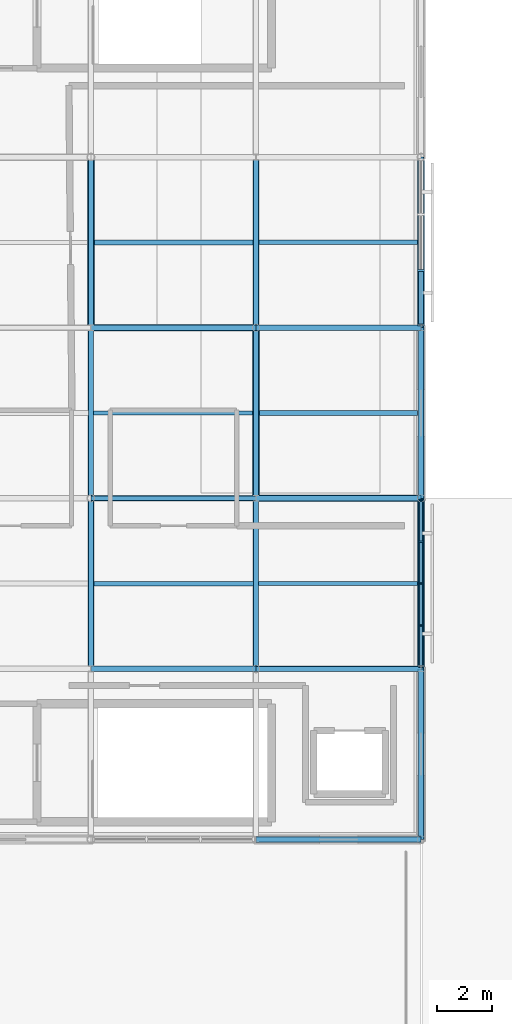
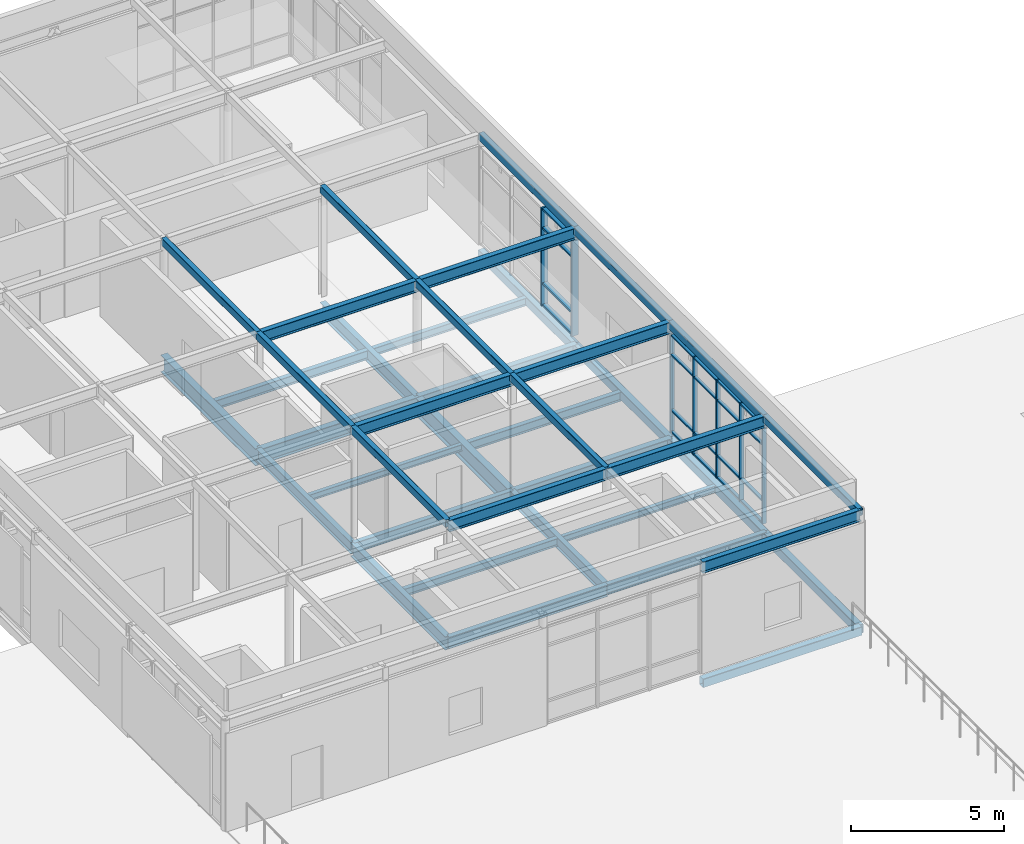
# One storey, part 8 of 16: 40 beams, 27 members, 2 elements without a shape of their own.
"""IFC4 building model written with IfcOpenShell, lengths in metres."""

from ifc_helpers import new_model, si_unit, direction, frame, origin, origin_2d, place, context, subcontext, project, spatial, rectangle, hollow_rectangle, i_section, extrude, material, layer, layer_set, material_profile, profile_set, type_object, element, aggregate, save


model = new_model("IFC4")

# Units and contexts
model_context = context("Model", 3, precision=1e-05, world=origin(), true_north=direction((0.0, 1.0)))
body_context = subcontext(model_context, "Body", "Model", "MODEL_VIEW")
ifc_project = project(units=[si_unit("LENGTHUNIT", "METRE"), si_unit("AREAUNIT", "SQUARE_METRE"), si_unit("VOLUMEUNIT", "CUBIC_METRE"), si_unit("PLANEANGLEUNIT", "RADIAN"), si_unit("MASSUNIT", "GRAM", prefix="KILO")], contexts=[model_context])

# Site, building, storey
site_placement = place(None, origin())
site = spatial("IfcSite", under=ifc_project, at=site_placement, CompositionType="ELEMENT")
building_placement = place(site_placement, origin())
building = spatial("IfcBuilding", under=site, at=building_placement, Name="Mirzam Square Science Centre", CompositionType="ELEMENT")
storey_placement = place(building_placement, frame((0.0, 0.0, 25.199951171875)))
storey = spatial("IfcBuildingStorey", under=building, at=storey_placement, Name="L05", CompositionType="ELEMENT", Elevation=25.199951171875)

# Beams
ifc_material_1 = material(Name="Steel S355", Category="steel")
ifc_material_profile_1 = material_profile(ifc_material_1, i_section(OverallWidth=0.1787109375, OverallDepth=0.409423828125, WebThickness=0.0087890625, FlangeThickness=0.014404296875, FilletRadius=0.01025390625, at=origin_2d()), Name="406x178x67UB")
ifc_profile_set_1 = profile_set([ifc_material_profile_1], Name="Steel S355")
beam_type_1 = type_object("IfcBeamType", Name="BM-UB406", PredefinedType="BEAM", material=ifc_profile_set_1)
for number, where, z_axis, x_axis, name in (
    (1, (132.0, 80.60009765625, -0.45458984375), (1.0, 0.0, 0.0), (0.0, 1.0, 0.0), "L05 girder X23-14"),
    (2, (126.0, 86.800048828125, -0.45458984375), (1.0, 0.0, 0.0), (0.0, 1.0, 0.0), "L05 girder X22-15"),
):
    element("IfcBeam", number, at=place(storey_placement, frame(where, z_axis=z_axis, x_axis=x_axis)), inside=storey, type_object=beam_type_1, Name=name, PredefinedType="BEAM", context=body_context, shape_type="SweptSolid", body=[
        extrude(i_section(OverallWidth=0.1787109375, OverallDepth=0.409423828125, WebThickness=0.0087890625, FlangeThickness=0.014404296875, FilletRadius=0.01025390625, at=origin_2d()), origin(), (0.0, 0.0, 1.0), 6.0),
    ])
ifc_material_profile_2 = material_profile(ifc_material_1, i_section(OverallWidth=0.19140625, OverallDepth=0.4599609375, WebThickness=0.010009765625, FlangeThickness=0.01611328125, FilletRadius=0.01025390625, at=origin_2d()), Name="457x191x82UB")
ifc_profile_set_2 = profile_set([ifc_material_profile_2], Name="Steel S355")
beam_type_2 = type_object("IfcBeamType", Name="BM-UB457", PredefinedType="BEAM", material=ifc_profile_set_2)
beam_1_placement = place(storey_placement, frame((126.0, 80.60009765625, -0.47998046875), z_axis=(1.0, 0.0, 0.0), x_axis=(0.0, 1.0, 0.0)))
element("IfcBeam", 3, at=beam_1_placement, inside=storey, type_object=beam_type_2, Name="L05 girder X22-14", PredefinedType="BEAM", context=body_context, shape_type="SweptSolid", body=[
    extrude(i_section(OverallWidth=0.19140625, OverallDepth=0.4599609375, WebThickness=0.010009765625, FlangeThickness=0.01611328125, FilletRadius=0.01025390625, at=origin_2d()), origin(), (0.0, 0.0, 1.0), 6.0),
])
for number, where, z_axis, x_axis, name in (
    (4, (126.0, 86.800048828125, -0.47998046875), (0.0, 1.0, 0.0), (-1.0, 0.0, 0.0), "L05 girder Y22-15"),
    (5, (132.0, 80.60009765625, -0.47998046875), (0.0, 1.0, 0.0), (-1.0, 0.0, 0.0), "L05 girder Y23-14"),
):
    element("IfcBeam", number, at=place(storey_placement, frame(where, z_axis=z_axis, x_axis=x_axis)), inside=storey, type_object=beam_type_2, Name=name, PredefinedType="BEAM", context=body_context, shape_type="SweptSolid", body=[
        extrude(i_section(OverallWidth=0.19140625, OverallDepth=0.4599609375, WebThickness=0.010009765625, FlangeThickness=0.01611328125, FilletRadius=0.01025390625, at=origin_2d()), origin(), (0.0, 0.0, 1.0), 6.199951171875),
    ])
for number, where, z_axis, x_axis, name in (
    (6, (132.0, 74.39990234375, 4.179931640625), (1.0, 0.0, 0.0), (0.0, 1.0, 0.0), "Observatory roof beam 23-13"),
    (7, (126.0, 80.60009765625, 4.179931640625), (1.0, 0.0, 0.0), (0.0, 1.0, 0.0), "Observatory roof beam 22-14"),
    (8, (132.0, 80.60009765625, 4.179931640625), (1.0, 0.0, 0.0), (0.0, 1.0, 0.0), "Observatory roof beam 23-14"),
    (9, (126.0, 86.800048828125, 4.179931640625), (1.0, 0.0, 0.0), (0.0, 1.0, 0.0), "Observatory roof beam 22-15"),
    (10, (132.0, 86.800048828125, 4.179931640625), (1.0, 0.0, 0.0), (0.0, 1.0, 0.0), "Observatory roof beam 23-15"),
    (11, (126.0, 93.0, 4.179931640625), (1.0, 0.0, 0.0), (0.0, 1.0, 0.0), "Observatory roof beam 22-16"),
    (12, (132.0, 93.0, 4.179931640625), (1.0, 0.0, 0.0), (0.0, 1.0, 0.0), "Observatory roof beam 23-16"),
):
    element("IfcBeam", number, at=place(storey_placement, frame(where, z_axis=z_axis, x_axis=x_axis)), inside=storey, type_object=beam_type_2, Name=name, PredefinedType="BEAM", context=body_context, shape_type="SweptSolid", body=[
        extrude(i_section(OverallWidth=0.19140625, OverallDepth=0.4599609375, WebThickness=0.010009765625, FlangeThickness=0.01611328125, FilletRadius=0.01025390625, at=origin_2d()), origin(), (0.0, 0.0, 1.0), 6.0),
    ])
ifc_material_profile_3 = material_profile(ifc_material_1, i_section(OverallWidth=0.2099609375, OverallDepth=0.53662109375, WebThickness=0.0107421875, FlangeThickness=0.017333984375, FilletRadius=0.0126953125, at=origin_2d()), Name="533x210x101UB")
ifc_profile_set_3 = profile_set([ifc_material_profile_3], Name="Steel S355")
beam_type_3 = type_object("IfcBeamType", Name="BM-UB533", PredefinedType="BEAM", material=ifc_profile_set_3)
beam_2_placement = place(storey_placement, frame((132.0, 93.0, -0.518310546875), z_axis=(1.0, 0.0, 0.0), x_axis=(0.0, 1.0, 0.0)))
element("IfcBeam", 13, at=beam_2_placement, inside=storey, type_object=beam_type_3, Name="L05 girder X23-16", PredefinedType="BEAM", context=body_context, shape_type="SweptSolid", body=[
    extrude(i_section(OverallWidth=0.2099609375, OverallDepth=0.53662109375, WebThickness=0.0107421875, FlangeThickness=0.017333984375, FilletRadius=0.0126953125, at=origin_2d()), origin(), (0.0, 0.0, 1.0), 6.0),
])
for number, where, z_axis, x_axis, name in (
    (14, (126.0, 80.60009765625, -0.518310546875), (0.0, 1.0, 0.0), (-1.0, 0.0, 0.0), "L05 girder Y22-14"),
    (15, (132.0, 93.0, -0.518310546875), (0.0, 1.0, 0.0), (-1.0, 0.0, 0.0), "L05 girder Y23-16"),
):
    element("IfcBeam", number, at=place(storey_placement, frame(where, z_axis=z_axis, x_axis=x_axis)), inside=storey, type_object=beam_type_3, Name=name, PredefinedType="BEAM", context=body_context, shape_type="SweptSolid", body=[
        extrude(i_section(OverallWidth=0.2099609375, OverallDepth=0.53662109375, WebThickness=0.0107421875, FlangeThickness=0.017333984375, FilletRadius=0.0126953125, at=origin_2d()), origin(), (0.0, 0.0, 1.0), 6.199951171875),
    ])
ifc_material_profile_4 = material_profile(ifc_material_1, i_section(OverallWidth=0.22900390625, OverallDepth=0.6123046875, WebThickness=0.011962890625, FlangeThickness=0.01953125, FilletRadius=0.0126953125, at=origin_2d()), Name="610x229x125UB")
ifc_profile_set_4 = profile_set([ifc_material_profile_4], Name="Steel S355")
beam_type_4 = type_object("IfcBeamType", Name="BM-UB610", PredefinedType="BEAM", material=ifc_profile_set_4)
for number, where, z_axis, x_axis, name in (
    (16, (132.0, 86.800048828125, -0.55615234375), (1.0, 0.0, 0.0), (0.0, 1.0, 0.0), "L05 girder X23-15"),
    (17, (126.0, 93.0, -0.55615234375), (1.0, 0.0, 0.0), (0.0, 1.0, 0.0), "L05 girder X22-16"),
):
    element("IfcBeam", number, at=place(storey_placement, frame(where, z_axis=z_axis, x_axis=x_axis)), inside=storey, type_object=beam_type_4, Name=name, PredefinedType="BEAM", context=body_context, shape_type="SweptSolid", body=[
        extrude(i_section(OverallWidth=0.22900390625, OverallDepth=0.6123046875, WebThickness=0.011962890625, FlangeThickness=0.01953125, FilletRadius=0.0126953125, at=origin_2d()), origin(), (0.0, 0.0, 1.0), 6.0),
    ])
ifc_material_profile_5 = material_profile(ifc_material_1, i_section(OverallWidth=0.25439453125, OverallDepth=0.6875, WebThickness=0.01318359375, FlangeThickness=0.02099609375, FilletRadius=0.01513671875, at=origin_2d()), Name="686x254x152UB")
ifc_profile_set_5 = profile_set([ifc_material_profile_5], Name="Steel S355")
beam_type_5 = type_object("IfcBeamType", Name="BM-UB686", PredefinedType="BEAM", material=ifc_profile_set_5)
for number, where, z_axis, x_axis, name in (
    (18, (126.0, 93.0, -0.59375), (0.0, 1.0, 0.0), (-1.0, 0.0, 0.0), "L05 girder Y22-16"),
    (19, (132.0, 86.800048828125, -0.59375), (0.0, 1.0, 0.0), (-1.0, 0.0, 0.0), "L05 girder Y23-15"),
):
    element("IfcBeam", number, at=place(storey_placement, frame(where, z_axis=z_axis, x_axis=x_axis)), inside=storey, type_object=beam_type_5, Name=name, PredefinedType="BEAM", context=body_context, shape_type="SweptSolid", body=[
        extrude(i_section(OverallWidth=0.25439453125, OverallDepth=0.6875, WebThickness=0.01318359375, FlangeThickness=0.02099609375, FilletRadius=0.01513671875, at=origin_2d()), origin(), (0.0, 0.0, 1.0), 6.199951171875),
    ])

# Curtain wall, members
ifc_material_2 = material(Name="Anodised Aluminium and Low-E Solar Glass", Category="aluminium")
ifc_layer_1 = layer(ifc_material_2, 0.159912109375)
ifc_layer_set_1 = layer_set([ifc_layer_1], Name="CW-COURT-B")
curtain_wall_type_1 = type_object("IfcCurtainWallType", Name="CW-COURT-B", PredefinedType="USERDEFINED", material=ifc_layer_set_1)
curtain_wall_1_placement = place(storey_placement, origin())
curtain_wall_1 = element("IfcCurtainWall", 20, at=curtain_wall_1_placement, inside=storey, type_object=curtain_wall_type_1, Name="L05 unitised curtain wall 167", ObjectType="UNITISED CURTAIN WALL", PredefinedType="USERDEFINED")
ifc_material_3 = material(Name="Anodised Architectural Aluminium 6063-T6", Category="aluminium")
ifc_material_profile_6 = material_profile(ifc_material_3, rectangle(XDim=0.06005859375, YDim=0.159912109375, at=origin_2d()), Name="ALU-MULL-160x60x4")
ifc_profile_set_6 = profile_set([ifc_material_profile_6], Name="Anodised Architectural Aluminium 6063-T6")
member_type_1 = type_object("IfcMemberType", Name="CWM-160", PredefinedType="MULLION", material=ifc_profile_set_6)
member_1_placement = place(storey_placement, frame((138.0, 80.68505859375, 0.0), z_axis=(0.0, 0.0, 1.0), x_axis=(0.0, 1.0, 0.0)))
member_1 = element("IfcMember", 21, at=member_1_placement, type_object=member_type_1, Name="CW-04 mullion 1", PredefinedType="MULLION", context=body_context, shape_type="SweptSolid", body=[
    extrude(rectangle(XDim=0.06005859375, YDim=0.159912109375, at=origin_2d()), origin(), (0.0, 0.0, 1.0), 3.920166015625),
])
member_2_placement = place(storey_placement, frame((138.0, 82.177490234375, 0.0), z_axis=(0.0, 0.0, 1.0), x_axis=(0.0, 1.0, 0.0)))
member_2 = element("IfcMember", 22, at=member_2_placement, type_object=member_type_1, Name="CW-04 mullion 2", PredefinedType="MULLION", context=body_context, shape_type="SweptSolid", body=[
    extrude(rectangle(XDim=0.06005859375, YDim=0.159912109375, at=origin_2d()), origin(), (0.0, 0.0, 1.0), 3.920166015625),
])
member_3_placement = place(storey_placement, frame((138.0, 83.699951171875, 0.0), z_axis=(0.0, 0.0, 1.0), x_axis=(0.0, 1.0, 0.0)))
member_3 = element("IfcMember", 23, at=member_3_placement, type_object=member_type_1, Name="CW-04 mullion 3", PredefinedType="MULLION", context=body_context, shape_type="SweptSolid", body=[
    extrude(rectangle(XDim=0.06005859375, YDim=0.159912109375, at=origin_2d()), origin(), (0.0, 0.0, 1.0), 3.920166015625),
])
member_4_placement = place(storey_placement, frame((138.0, 85.222412109375, 0.0), z_axis=(0.0, 0.0, 1.0), x_axis=(0.0, 1.0, 0.0)))
member_4 = element("IfcMember", 24, at=member_4_placement, type_object=member_type_1, Name="CW-04 mullion 4", PredefinedType="MULLION", context=body_context, shape_type="SweptSolid", body=[
    extrude(rectangle(XDim=0.06005859375, YDim=0.159912109375, at=origin_2d()), origin(), (0.0, 0.0, 1.0), 3.920166015625),
])
member_5_placement = place(storey_placement, frame((138.0, 86.715087890625, 0.0), z_axis=(0.0, 0.0, 1.0), x_axis=(0.0, 1.0, 0.0)))
member_5 = element("IfcMember", 25, at=member_5_placement, type_object=member_type_1, Name="CW-04 mullion 5", PredefinedType="MULLION", context=body_context, shape_type="SweptSolid", body=[
    extrude(rectangle(XDim=0.06005859375, YDim=0.159912109375, at=origin_2d()), origin(), (0.0, 0.0, 1.0), 3.920166015625),
])

ifc_layer_2 = layer(ifc_material_2, 0.239990234375)
ifc_layer_set_2 = layer_set([ifc_layer_2], Name="CW-EAST-B")
curtain_wall_type_2 = type_object("IfcCurtainWallType", Name="CW-EAST-B", PredefinedType="USERDEFINED", material=ifc_layer_set_2)
curtain_wall_2_placement = place(storey_placement, origin())
curtain_wall_2 = element("IfcCurtainWall", 26, at=curtain_wall_2_placement, inside=storey, type_object=curtain_wall_type_2, Name="L05 unitised curtain wall 168", ObjectType="UNITISED CURTAIN WALL", PredefinedType="USERDEFINED")
ifc_material_profile_7 = material_profile(ifc_material_3, rectangle(XDim=0.074951171875, YDim=0.239990234375, at=origin_2d()), Name="ALU-MULL-240x75x5")
ifc_profile_set_7 = profile_set([ifc_material_profile_7], Name="Anodised Architectural Aluminium 6063-T6")
member_type_2 = type_object("IfcMemberType", Name="CWM-240", PredefinedType="MULLION", material=ifc_profile_set_7)
member_6_placement = place(storey_placement, frame((138.0, 93.092529296875, 0.0), z_axis=(0.0, 0.0, 1.0), x_axis=(0.0, 1.0, 0.0)))
member_6 = element("IfcMember", 27, at=member_6_placement, type_object=member_type_2, Name="CW-06 mullion 1", PredefinedType="MULLION", context=body_context, shape_type="SweptSolid", body=[
    extrude(rectangle(XDim=0.074951171875, YDim=0.239990234375, at=origin_2d()), origin(), (0.0, 0.0, 1.0), 3.920166015625),
])
member_7_placement = place(storey_placement, frame((138.0, 95.0849609375, 0.0), z_axis=(0.0, 0.0, 1.0), x_axis=(0.0, 1.0, 0.0)))
member_7 = element("IfcMember", 28, at=member_7_placement, type_object=member_type_2, Name="CW-06 mullion 2", PredefinedType="MULLION", context=body_context, shape_type="SweptSolid", body=[
    extrude(rectangle(XDim=0.074951171875, YDim=0.239990234375, at=origin_2d()), origin(), (0.0, 0.0, 1.0), 3.920166015625),
])

# Member
ifc_material_profile_8 = material_profile(ifc_material_3, rectangle(XDim=0.1201171875, YDim=0.06005859375, at=origin_2d()), Name="ALU-TRAN-120x60x4")
ifc_profile_set_8 = profile_set([ifc_material_profile_8], Name="Anodised Architectural Aluminium 6063-T6")
member_type_3 = type_object("IfcMemberType", Name="CWT-120", PredefinedType="USERDEFINED", material=ifc_profile_set_8)
member_8_placement = place(storey_placement, frame((138.0, 80.715087890625, 0.030029296875), z_axis=(0.0, 1.0, 0.0), x_axis=(-1.0, 0.0, 0.0)))
member_8 = element("IfcMember", 29, at=member_8_placement, type_object=member_type_3, Name="CW-04 transom 1.1", ObjectType="TRANSOM", PredefinedType="USERDEFINED", context=body_context, shape_type="SweptSolid", body=[
    extrude(rectangle(XDim=0.1201171875, YDim=0.06005859375, at=origin_2d()), origin(), (0.0, 0.0, 1.0), 1.432373046875),
])

member_9_placement = place(storey_placement, frame((138.0, 80.715087890625, 0.900146484375), z_axis=(0.0, 1.0, 0.0), x_axis=(-1.0, 0.0, 0.0)))
member_9 = element("IfcMember", 30, at=member_9_placement, type_object=member_type_3, Name="CW-04 transom 1.2", ObjectType="TRANSOM", PredefinedType="USERDEFINED", context=body_context, shape_type="SweptSolid", body=[
    extrude(rectangle(XDim=0.1201171875, YDim=0.06005859375, at=origin_2d()), origin(), (0.0, 0.0, 1.0), 1.432373046875),
])

member_10_placement = place(storey_placement, frame((138.0, 80.715087890625, 3.1201171875), z_axis=(0.0, 1.0, 0.0), x_axis=(-1.0, 0.0, 0.0)))
member_10 = element("IfcMember", 31, at=member_10_placement, type_object=member_type_3, Name="CW-04 transom 1.3", ObjectType="TRANSOM", PredefinedType="USERDEFINED", context=body_context, shape_type="SweptSolid", body=[
    extrude(rectangle(XDim=0.1201171875, YDim=0.06005859375, at=origin_2d()), origin(), (0.0, 0.0, 1.0), 1.432373046875),
])

member_11_placement = place(storey_placement, frame((138.0, 80.715087890625, 3.89013671875), z_axis=(0.0, 1.0, 0.0), x_axis=(-1.0, 0.0, 0.0)))
member_11 = element("IfcMember", 32, at=member_11_placement, type_object=member_type_3, Name="CW-04 transom 1.4", ObjectType="TRANSOM", PredefinedType="USERDEFINED", context=body_context, shape_type="SweptSolid", body=[
    extrude(rectangle(XDim=0.1201171875, YDim=0.06005859375, at=origin_2d()), origin(), (0.0, 0.0, 1.0), 1.432373046875),
])

member_12_placement = place(storey_placement, frame((138.0, 82.20751953125, 0.030029296875), z_axis=(0.0, 1.0, 0.0), x_axis=(-1.0, 0.0, 0.0)))
member_12 = element("IfcMember", 33, at=member_12_placement, type_object=member_type_3, Name="CW-04 transom 2.1", ObjectType="TRANSOM", PredefinedType="USERDEFINED", context=body_context, shape_type="SweptSolid", body=[
    extrude(rectangle(XDim=0.1201171875, YDim=0.06005859375, at=origin_2d()), origin(), (0.0, 0.0, 1.0), 1.46240234375),
])

member_13_placement = place(storey_placement, frame((138.0, 82.20751953125, 0.900146484375), z_axis=(0.0, 1.0, 0.0), x_axis=(-1.0, 0.0, 0.0)))
member_13 = element("IfcMember", 34, at=member_13_placement, type_object=member_type_3, Name="CW-04 transom 2.2", ObjectType="TRANSOM", PredefinedType="USERDEFINED", context=body_context, shape_type="SweptSolid", body=[
    extrude(rectangle(XDim=0.1201171875, YDim=0.06005859375, at=origin_2d()), origin(), (0.0, 0.0, 1.0), 1.46240234375),
])

member_14_placement = place(storey_placement, frame((138.0, 82.20751953125, 3.1201171875), z_axis=(0.0, 1.0, 0.0), x_axis=(-1.0, 0.0, 0.0)))
member_14 = element("IfcMember", 35, at=member_14_placement, type_object=member_type_3, Name="CW-04 transom 2.3", ObjectType="TRANSOM", PredefinedType="USERDEFINED", context=body_context, shape_type="SweptSolid", body=[
    extrude(rectangle(XDim=0.1201171875, YDim=0.06005859375, at=origin_2d()), origin(), (0.0, 0.0, 1.0), 1.46240234375),
])

member_15_placement = place(storey_placement, frame((138.0, 82.20751953125, 3.89013671875), z_axis=(0.0, 1.0, 0.0), x_axis=(-1.0, 0.0, 0.0)))
member_15 = element("IfcMember", 36, at=member_15_placement, type_object=member_type_3, Name="CW-04 transom 2.4", ObjectType="TRANSOM", PredefinedType="USERDEFINED", context=body_context, shape_type="SweptSolid", body=[
    extrude(rectangle(XDim=0.1201171875, YDim=0.06005859375, at=origin_2d()), origin(), (0.0, 0.0, 1.0), 1.46240234375),
])

member_16_placement = place(storey_placement, frame((138.0, 83.72998046875, 0.030029296875), z_axis=(0.0, 1.0, 0.0), x_axis=(-1.0, 0.0, 0.0)))
member_16 = element("IfcMember", 37, at=member_16_placement, type_object=member_type_3, Name="CW-04 transom 3.1", ObjectType="TRANSOM", PredefinedType="USERDEFINED", context=body_context, shape_type="SweptSolid", body=[
    extrude(rectangle(XDim=0.1201171875, YDim=0.06005859375, at=origin_2d()), origin(), (0.0, 0.0, 1.0), 1.46240234375),
])

member_17_placement = place(storey_placement, frame((138.0, 83.72998046875, 0.900146484375), z_axis=(0.0, 1.0, 0.0), x_axis=(-1.0, 0.0, 0.0)))
member_17 = element("IfcMember", 38, at=member_17_placement, type_object=member_type_3, Name="CW-04 transom 3.2", ObjectType="TRANSOM", PredefinedType="USERDEFINED", context=body_context, shape_type="SweptSolid", body=[
    extrude(rectangle(XDim=0.1201171875, YDim=0.06005859375, at=origin_2d()), origin(), (0.0, 0.0, 1.0), 1.46240234375),
])

member_18_placement = place(storey_placement, frame((138.0, 83.72998046875, 3.1201171875), z_axis=(0.0, 1.0, 0.0), x_axis=(-1.0, 0.0, 0.0)))
member_18 = element("IfcMember", 39, at=member_18_placement, type_object=member_type_3, Name="CW-04 transom 3.3", ObjectType="TRANSOM", PredefinedType="USERDEFINED", context=body_context, shape_type="SweptSolid", body=[
    extrude(rectangle(XDim=0.1201171875, YDim=0.06005859375, at=origin_2d()), origin(), (0.0, 0.0, 1.0), 1.46240234375),
])

member_19_placement = place(storey_placement, frame((138.0, 83.72998046875, 3.89013671875), z_axis=(0.0, 1.0, 0.0), x_axis=(-1.0, 0.0, 0.0)))
member_19 = element("IfcMember", 40, at=member_19_placement, type_object=member_type_3, Name="CW-04 transom 3.4", ObjectType="TRANSOM", PredefinedType="USERDEFINED", context=body_context, shape_type="SweptSolid", body=[
    extrude(rectangle(XDim=0.1201171875, YDim=0.06005859375, at=origin_2d()), origin(), (0.0, 0.0, 1.0), 1.46240234375),
])

member_20_placement = place(storey_placement, frame((138.0, 85.25244140625, 0.030029296875), z_axis=(0.0, 1.0, 0.0), x_axis=(-1.0, 0.0, 0.0)))
member_20 = element("IfcMember", 41, at=member_20_placement, type_object=member_type_3, Name="CW-04 transom 4.1", ObjectType="TRANSOM", PredefinedType="USERDEFINED", context=body_context, shape_type="SweptSolid", body=[
    extrude(rectangle(XDim=0.1201171875, YDim=0.06005859375, at=origin_2d()), origin(), (0.0, 0.0, 1.0), 1.4326171875),
])

member_21_placement = place(storey_placement, frame((138.0, 85.25244140625, 0.900146484375), z_axis=(0.0, 1.0, 0.0), x_axis=(-1.0, 0.0, 0.0)))
member_21 = element("IfcMember", 42, at=member_21_placement, type_object=member_type_3, Name="CW-04 transom 4.2", ObjectType="TRANSOM", PredefinedType="USERDEFINED", context=body_context, shape_type="SweptSolid", body=[
    extrude(rectangle(XDim=0.1201171875, YDim=0.06005859375, at=origin_2d()), origin(), (0.0, 0.0, 1.0), 1.4326171875),
])

member_22_placement = place(storey_placement, frame((138.0, 85.25244140625, 3.1201171875), z_axis=(0.0, 1.0, 0.0), x_axis=(-1.0, 0.0, 0.0)))
member_22 = element("IfcMember", 43, at=member_22_placement, type_object=member_type_3, Name="CW-04 transom 4.3", ObjectType="TRANSOM", PredefinedType="USERDEFINED", context=body_context, shape_type="SweptSolid", body=[
    extrude(rectangle(XDim=0.1201171875, YDim=0.06005859375, at=origin_2d()), origin(), (0.0, 0.0, 1.0), 1.4326171875),
])

member_23_placement = place(storey_placement, frame((138.0, 85.25244140625, 3.89013671875), z_axis=(0.0, 1.0, 0.0), x_axis=(-1.0, 0.0, 0.0)))
member_23 = element("IfcMember", 44, at=member_23_placement, type_object=member_type_3, Name="CW-04 transom 4.4", ObjectType="TRANSOM", PredefinedType="USERDEFINED", context=body_context, shape_type="SweptSolid", body=[
    extrude(rectangle(XDim=0.1201171875, YDim=0.06005859375, at=origin_2d()), origin(), (0.0, 0.0, 1.0), 1.4326171875),
])

aggregate(curtain_wall_1, [member_1, member_2, member_3, member_4, member_5, member_8, member_9, member_10, member_11, member_12, member_13, member_14, member_15, member_16, member_17, member_18, member_19, member_20, member_21, member_22, member_23])

ifc_material_profile_9 = material_profile(ifc_material_3, rectangle(XDim=0.179931640625, YDim=0.074951171875, at=origin_2d()), Name="ALU-TRAN-180x75x5")
ifc_profile_set_9 = profile_set([ifc_material_profile_9], Name="Anodised Architectural Aluminium 6063-T6")
member_type_4 = type_object("IfcMemberType", Name="CWT-180", PredefinedType="USERDEFINED", material=ifc_profile_set_9)
member_24_placement = place(storey_placement, frame((138.0, 93.1298828125, 0.03759765625), z_axis=(0.0, 1.0, 0.0), x_axis=(-1.0, 0.0, 0.0)))
member_24 = element("IfcMember", 45, at=member_24_placement, type_object=member_type_4, Name="CW-06 transom 1.1", ObjectType="TRANSOM", PredefinedType="USERDEFINED", context=body_context, shape_type="SweptSolid", body=[
    extrude(rectangle(XDim=0.179931640625, YDim=0.074951171875, at=origin_2d()), origin(), (0.0, 0.0, 1.0), 1.917724609375),
])

member_25_placement = place(storey_placement, frame((138.0, 93.1298828125, 0.900146484375), z_axis=(0.0, 1.0, 0.0), x_axis=(-1.0, 0.0, 0.0)))
member_25 = element("IfcMember", 46, at=member_25_placement, type_object=member_type_4, Name="CW-06 transom 1.2", ObjectType="TRANSOM", PredefinedType="USERDEFINED", context=body_context, shape_type="SweptSolid", body=[
    extrude(rectangle(XDim=0.179931640625, YDim=0.074951171875, at=origin_2d()), origin(), (0.0, 0.0, 1.0), 1.917724609375),
])

member_26_placement = place(storey_placement, frame((138.0, 93.1298828125, 3.1201171875), z_axis=(0.0, 1.0, 0.0), x_axis=(-1.0, 0.0, 0.0)))
member_26 = element("IfcMember", 47, at=member_26_placement, type_object=member_type_4, Name="CW-06 transom 1.3", ObjectType="TRANSOM", PredefinedType="USERDEFINED", context=body_context, shape_type="SweptSolid", body=[
    extrude(rectangle(XDim=0.179931640625, YDim=0.074951171875, at=origin_2d()), origin(), (0.0, 0.0, 1.0), 1.917724609375),
])

member_27_placement = place(storey_placement, frame((138.0, 93.1298828125, 3.882568359375), z_axis=(0.0, 1.0, 0.0), x_axis=(-1.0, 0.0, 0.0)))
member_27 = element("IfcMember", 48, at=member_27_placement, type_object=member_type_4, Name="CW-06 transom 1.4", ObjectType="TRANSOM", PredefinedType="USERDEFINED", context=body_context, shape_type="SweptSolid", body=[
    extrude(rectangle(XDim=0.179931640625, YDim=0.074951171875, at=origin_2d()), origin(), (0.0, 0.0, 1.0), 1.917724609375),
])

aggregate(curtain_wall_2, [member_6, member_7, member_24, member_25, member_26, member_27])

# Beams
ifc_material_profile_10 = material_profile(ifc_material_1, i_section(OverallWidth=0.146484375, OverallDepth=0.256103515625, WebThickness=0.00634765625, FlangeThickness=0.010986328125, FilletRadius=0.007568359375, at=origin_2d()), Name="254x146x37UB")
ifc_profile_set_10 = profile_set([ifc_material_profile_10], Name="Steel S355")
beam_type_6 = type_object("IfcBeamType", Name="JS-UB254", PredefinedType="JOIST", material=ifc_profile_set_10)
beam_3_placement = place(storey_placement, frame((126.095703125, 89.89990234375, -0.3779296875), z_axis=(1.0, 0.0, 0.0), x_axis=(0.0, 1.0, 0.0)))
element("IfcBeam", 49, at=beam_3_placement, inside=storey, type_object=beam_type_6, Name="L05 composite joist 22-15", PredefinedType="JOIST", context=body_context, shape_type="SweptSolid", body=[
    extrude(i_section(OverallWidth=0.146484375, OverallDepth=0.256103515625, WebThickness=0.00634765625, FlangeThickness=0.010986328125, FilletRadius=0.007568359375, at=origin_2d()), origin(), (0.0, 0.0, 1.0), 5.777099609375),
])
beam_4_placement = place(storey_placement, frame((132.095703125, 83.699951171875, -0.3779296875), z_axis=(1.0, 0.0, 0.0), x_axis=(0.0, 1.0, 0.0)))
element("IfcBeam", 50, at=beam_4_placement, inside=storey, type_object=beam_type_6, Name="L05 composite joist 23-14", PredefinedType="JOIST", context=body_context, shape_type="SweptSolid", body=[
    extrude(i_section(OverallWidth=0.146484375, OverallDepth=0.256103515625, WebThickness=0.00634765625, FlangeThickness=0.010986328125, FilletRadius=0.007568359375, at=origin_2d()), origin(), (0.0, 0.0, 1.0), 5.779296875),
])
ifc_material_profile_11 = material_profile(ifc_material_1, i_section(OverallWidth=0.165771484375, OverallDepth=0.306640625, WebThickness=0.006591796875, FlangeThickness=0.01171875, FilletRadius=0.0087890625, at=origin_2d()), Name="305x165x46UB")
ifc_profile_set_11 = profile_set([ifc_material_profile_11], Name="Steel S355")
beam_type_7 = type_object("IfcBeamType", Name="JS-UB305", PredefinedType="JOIST", material=ifc_profile_set_11)
beam_5_placement = place(storey_placement, frame((126.10498046875, 83.699951171875, -0.4033203125), z_axis=(1.0, 0.0, 0.0), x_axis=(0.0, 1.0, 0.0)))
element("IfcBeam", 51, at=beam_5_placement, inside=storey, type_object=beam_type_7, Name="L05 composite joist 22-14", PredefinedType="JOIST", context=body_context, shape_type="SweptSolid", body=[
    extrude(i_section(OverallWidth=0.165771484375, OverallDepth=0.306640625, WebThickness=0.006591796875, FlangeThickness=0.01171875, FilletRadius=0.0087890625, at=origin_2d()), origin(), (0.0, 0.0, 1.0), 5.79931640625),
])
beam_6_placement = place(storey_placement, frame((132.10498046875, 96.10009765625, -0.4033203125), z_axis=(1.0, 0.0, 0.0), x_axis=(0.0, 1.0, 0.0)))
element("IfcBeam", 52, at=beam_6_placement, inside=storey, type_object=beam_type_7, Name="L05 composite joist 23-16", PredefinedType="JOIST", context=body_context, shape_type="SweptSolid", body=[
    extrude(i_section(OverallWidth=0.165771484375, OverallDepth=0.306640625, WebThickness=0.006591796875, FlangeThickness=0.01171875, FilletRadius=0.0087890625, at=origin_2d()), origin(), (0.0, 0.0, 1.0), 5.77001953125),
])
ifc_material_profile_12 = material_profile(ifc_material_1, i_section(OverallWidth=0.172119140625, OverallDepth=0.35791015625, WebThickness=0.008056640625, FlangeThickness=0.012939453125, FilletRadius=0.01025390625, at=origin_2d()), Name="356x171x57UB")
ifc_profile_set_12 = profile_set([ifc_material_profile_12], Name="Steel S355")
beam_type_8 = type_object("IfcBeamType", Name="JS-UB356", PredefinedType="JOIST", material=ifc_profile_set_12)
beam_7_placement = place(storey_placement, frame((126.127197265625, 96.10009765625, -0.428955078125), z_axis=(1.0, 0.0, 0.0), x_axis=(0.0, 1.0, 0.0)))
element("IfcBeam", 53, at=beam_7_placement, inside=storey, type_object=beam_type_8, Name="L05 composite joist 22-16", PredefinedType="JOIST", context=body_context, shape_type="SweptSolid", body=[
    extrude(i_section(OverallWidth=0.172119140625, OverallDepth=0.35791015625, WebThickness=0.008056640625, FlangeThickness=0.012939453125, FilletRadius=0.01025390625, at=origin_2d()), origin(), (0.0, 0.0, 1.0), 5.767822265625),
])
beam_8_placement = place(storey_placement, frame((132.127197265625, 89.89990234375, -0.428955078125), z_axis=(1.0, 0.0, 0.0), x_axis=(0.0, 1.0, 0.0)))
element("IfcBeam", 54, at=beam_8_placement, inside=storey, type_object=beam_type_8, Name="L05 composite joist 23-15", PredefinedType="JOIST", context=body_context, shape_type="SweptSolid", body=[
    extrude(i_section(OverallWidth=0.172119140625, OverallDepth=0.35791015625, WebThickness=0.008056640625, FlangeThickness=0.012939453125, FilletRadius=0.01025390625, at=origin_2d()), origin(), (0.0, 0.0, 1.0), 5.747802734375),
])
ifc_material_profile_13 = material_profile(ifc_material_1, hollow_rectangle(XDim=0.199951171875, YDim=0.300048828125, WallThickness=0.010009765625, InnerFilletRadius=0.010009765625, OuterFilletRadius=0.02001953125, at=origin_2d()), Name="300x200x10.0RHS")
ifc_profile_set_13 = profile_set([ifc_material_profile_13], Name="Steel S355")
beam_type_9 = type_object("IfcBeamType", Name="SP-RHS300", PredefinedType="SPANDREL", material=ifc_profile_set_13)
for number, where, z_axis, x_axis, name in (
    (55, (126.0, 80.60009765625, 4.260009765625), (0.0, 1.0, 0.0), (-1.0, 0.0, 0.0), "Observatory roof edge beam 22-14"),
    (56, (126.0, 86.800048828125, 4.260009765625), (0.0, 1.0, 0.0), (-1.0, 0.0, 0.0), "Observatory roof edge beam 22-15"),
    (57, (126.0, 93.0, 4.260009765625), (0.0, 1.0, 0.0), (-1.0, 0.0, 0.0), "Observatory roof edge beam 22-16"),
    (58, (132.0, 80.60009765625, 4.260009765625), (0.0, 1.0, 0.0), (-1.0, 0.0, 0.0), "Observatory roof edge beam 23-14"),
    (59, (132.0, 86.800048828125, 4.260009765625), (0.0, 1.0, 0.0), (-1.0, 0.0, 0.0), "Observatory roof edge beam 23-15"),
    (60, (132.0, 93.0, 4.260009765625), (0.0, 1.0, 0.0), (-1.0, 0.0, 0.0), "Observatory roof edge beam 23-16"),
):
    element("IfcBeam", number, at=place(storey_placement, frame(where, z_axis=z_axis, x_axis=x_axis)), inside=storey, type_object=beam_type_9, Name=name, PredefinedType="SPANDREL", context=body_context, shape_type="SweptSolid", body=[
        extrude(hollow_rectangle(XDim=0.199951171875, YDim=0.300048828125, WallThickness=0.010009765625, InnerFilletRadius=0.010009765625, OuterFilletRadius=0.02001953125, at=origin_2d()), origin(), (0.0, 0.0, 1.0), 6.199951171875),
    ])
beam_9_placement = place(storey_placement, frame((138.0, 74.39990234375, 4.260009765625), z_axis=(0.0, 1.0, 0.0), x_axis=(-1.0, 0.0, 0.0)))
element("IfcBeam", 61, at=beam_9_placement, inside=storey, type_object=beam_type_9, Name="Observatory roof edge beam 24-13", PredefinedType="SPANDREL", context=body_context, shape_type="SweptSolid", body=[
    extrude(hollow_rectangle(XDim=0.199951171875, YDim=0.300048828125, WallThickness=0.010009765625, InnerFilletRadius=0.010009765625, OuterFilletRadius=0.02001953125, at=origin_2d()), origin(), (0.0, 0.0, 1.0), 6.2001953125),
])
for number, where, z_axis, x_axis, name in (
    (62, (138.0, 80.60009765625, 4.260009765625), (0.0, 1.0, 0.0), (-1.0, 0.0, 0.0), "Observatory roof edge beam 24-14"),
    (63, (138.0, 86.800048828125, 4.260009765625), (0.0, 1.0, 0.0), (-1.0, 0.0, 0.0), "Observatory roof edge beam 24-15"),
    (64, (138.0, 93.0, 4.260009765625), (0.0, 1.0, 0.0), (-1.0, 0.0, 0.0), "Observatory roof edge beam 24-16"),
):
    element("IfcBeam", number, at=place(storey_placement, frame(where, z_axis=z_axis, x_axis=x_axis)), inside=storey, type_object=beam_type_9, Name=name, PredefinedType="SPANDREL", context=body_context, shape_type="SweptSolid", body=[
        extrude(hollow_rectangle(XDim=0.199951171875, YDim=0.300048828125, WallThickness=0.010009765625, InnerFilletRadius=0.010009765625, OuterFilletRadius=0.02001953125, at=origin_2d()), origin(), (0.0, 0.0, 1.0), 6.199951171875),
    ])
ifc_material_profile_14 = material_profile(ifc_material_1, hollow_rectangle(XDim=0.25, YDim=0.35009765625, WallThickness=0.012451171875, InnerFilletRadius=0.012451171875, OuterFilletRadius=0.02490234375, at=origin_2d()), Name="350x250x12.5RHS")
ifc_profile_set_14 = profile_set([ifc_material_profile_14], Name="Steel S355")
beam_type_10 = type_object("IfcBeamType", Name="SP-RHS350", PredefinedType="SPANDREL", material=ifc_profile_set_14)
beam_10_placement = place(storey_placement, frame((132.0, 74.39990234375, -0.425048828125), z_axis=(1.0, 0.0, 0.0), x_axis=(0.0, 1.0, 0.0)))
element("IfcBeam", 65, at=beam_10_placement, inside=storey, type_object=beam_type_10, Name="L05 girder X23-13", PredefinedType="SPANDREL", context=body_context, shape_type="SweptSolid", body=[
    extrude(hollow_rectangle(XDim=0.25, YDim=0.35009765625, WallThickness=0.012451171875, InnerFilletRadius=0.012451171875, OuterFilletRadius=0.02490234375, at=origin_2d()), origin(), (0.0, 0.0, 1.0), 6.0),
])
beam_11_placement = place(storey_placement, frame((138.0, 74.39990234375, -0.425048828125), z_axis=(0.0, 1.0, 0.0), x_axis=(-1.0, 0.0, 0.0)))
element("IfcBeam", 66, at=beam_11_placement, inside=storey, type_object=beam_type_10, Name="L05 girder Y24-13", PredefinedType="SPANDREL", context=body_context, shape_type="SweptSolid", body=[
    extrude(hollow_rectangle(XDim=0.25, YDim=0.35009765625, WallThickness=0.012451171875, InnerFilletRadius=0.012451171875, OuterFilletRadius=0.02490234375, at=origin_2d()), origin(), (0.0, 0.0, 1.0), 6.2001953125),
])
for number, where, z_axis, x_axis, name in (
    (67, (138.0, 80.60009765625, -0.425048828125), (0.0, 1.0, 0.0), (-1.0, 0.0, 0.0), "L05 girder Y24-14"),
    (68, (138.0, 86.800048828125, -0.425048828125), (0.0, 1.0, 0.0), (-1.0, 0.0, 0.0), "L05 girder Y24-15"),
    (69, (138.0, 93.0, -0.425048828125), (0.0, 1.0, 0.0), (-1.0, 0.0, 0.0), "L05 girder Y24-16"),
):
    element("IfcBeam", number, at=place(storey_placement, frame(where, z_axis=z_axis, x_axis=x_axis)), inside=storey, type_object=beam_type_10, Name=name, PredefinedType="SPANDREL", context=body_context, shape_type="SweptSolid", body=[
        extrude(hollow_rectangle(XDim=0.25, YDim=0.35009765625, WallThickness=0.012451171875, InnerFilletRadius=0.012451171875, OuterFilletRadius=0.02490234375, at=origin_2d()), origin(), (0.0, 0.0, 1.0), 6.199951171875),
    ])

save(model, "model.ifc")
